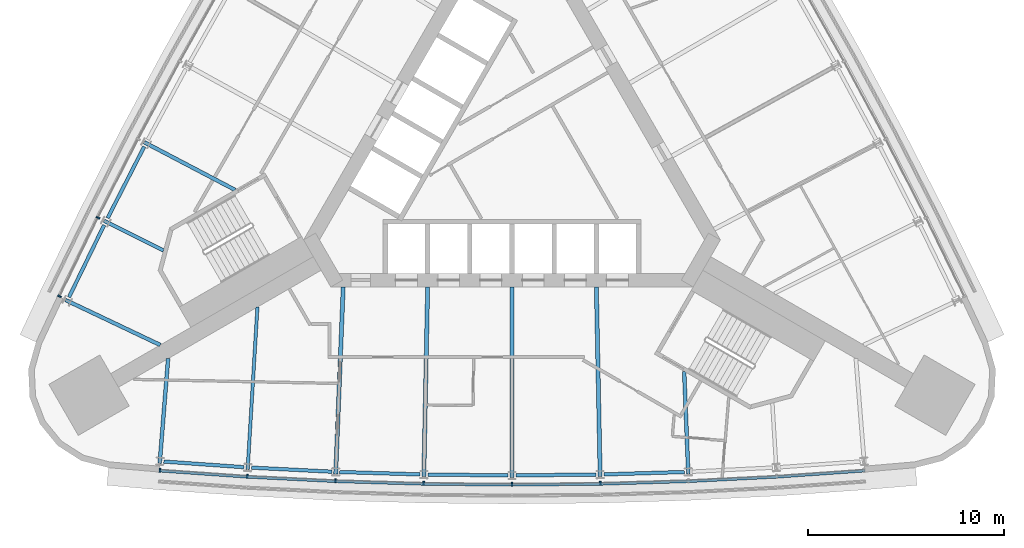
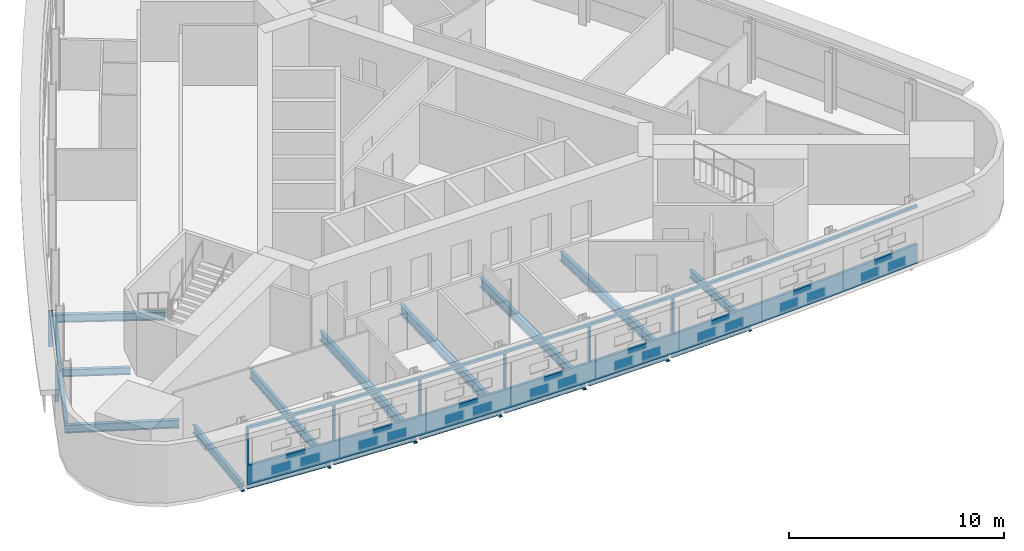
# One storey, part 2 of 11: 18 beams, 10 members, 2 elements without a shape of their own.
"""IFC4 building model written with IfcOpenShell, lengths in metres."""

from ifc_helpers import new_model, si_unit, direction, frame, origin, origin_2d, place, context, subcontext, project, spatial, polyline, rectangle, i_section, outline, extrude, material, material_profile, profile_set, type_object, element, aggregate, save


model = new_model("IFC4")

# Units and contexts
model_context = context("Model", 3, precision=1e-05, world=origin(), true_north=direction((0.0, 1.0)))
body_context = subcontext(model_context, "Body", "Model", "MODEL_VIEW")
ifc_project = project(units=[si_unit("LENGTHUNIT", "METRE"), si_unit("AREAUNIT", "SQUARE_METRE"), si_unit("VOLUMEUNIT", "CUBIC_METRE"), si_unit("PLANEANGLEUNIT", "RADIAN"), si_unit("MASSUNIT", "GRAM", prefix="KILO")], contexts=[model_context])

# Site, building, storey
site_placement = place(None, origin())
site = spatial("IfcSite", under=ifc_project, at=site_placement, CompositionType="ELEMENT")
building_placement = place(site_placement, origin())
building = spatial("IfcBuilding", under=site, at=building_placement, Name="Noor Cloister Tower", CompositionType="ELEMENT")
storey_placement = place(building_placement, frame((0.0, 0.0, 113.10009765625)))
storey = spatial("IfcBuildingStorey", under=building, at=storey_placement, Name="L29", CompositionType="ELEMENT", Elevation=113.10009765625)

# Curtain wall, member
ifc_material_1 = material(Name="Aluminium 6063-T6 anodised", Category="aluminium")
curtain_wall_type = type_object("IfcCurtainWallType", Name="Ribbon curtain wall, lower tower CW1", PredefinedType="NOTDEFINED", material=ifc_material_1)
curtain_wall_1_placement = place(storey_placement, origin())
curtain_wall_1 = element("IfcCurtainWall", 1, at=curtain_wall_1_placement, inside=storey, type_object=curtain_wall_type, Name="CW1 L29 S run 2", PredefinedType="NOTDEFINED")
ifc_material_2 = material(Name="Aluminium 6063-T6 anodised", Category="aluminium")
member_type_1 = type_object("IfcMemberType", Name="Head transom CW1 150", PredefinedType="USERDEFINED", material=ifc_material_2)
member_1_placement = place(storey_placement, frame((0.0, 0.0, 3.14990234375)))
member_1 = element("IfcMember", 2, at=member_1_placement, type_object=member_type_1, Name="CW1 head transom", ObjectType="TRANSOM", PredefinedType="USERDEFINED", context=body_context, shape_type="SweptSolid", body=[
    extrude(outline(polyline([(-17.980712890625, -16.35205078125), (-13.491943359375, -16.66796875), (-8.99755859375, -16.893798828125), (-4.499755859375, -17.029296875), (0.0, -17.074462890625), (4.499755859375, -17.029296875), (8.99755859375, -16.893798828125), (13.491943359375, -16.66796875), (17.980712890625, -16.35205078125), (17.970703125, -16.21240234375), (13.4833984375, -16.5283203125), (8.991943359375, -16.75390625), (4.496826171875, -16.889404296875), (0.0, -16.9345703125), (-4.496826171875, -16.889404296875), (-8.991943359375, -16.75390625), (-13.4833984375, -16.5283203125), (-17.970703125, -16.21240234375), (-17.980712890625, -16.35205078125)])), origin(), (0.0, 0.0, 1.0), 0.14990234375),
])

# Curtain wall, members
curtain_wall_2_placement = place(storey_placement, origin())
curtain_wall_2 = element("IfcCurtainWall", 3, at=curtain_wall_2_placement, inside=storey, type_object=curtain_wall_type, Name="CW1 L29 NW run 1", PredefinedType="NOTDEFINED")
ifc_material_3 = material(Name="Aluminium 6063-T6 anodised", Category="aluminium")
ifc_material_profile_1 = material_profile(ifc_material_3, rectangle(XDim=0.199951171875, YDim=0.080078125, at=origin_2d()), Name="200 x 80 mullion")
ifc_profile_set_1 = profile_set([ifc_material_profile_1], Name="Aluminium 6063-T6 anodised")
member_type_2 = type_object("IfcMemberType", Name="Mullion CW1 80 x 200", PredefinedType="MULLION", material=ifc_profile_set_1)
member_2_placement = place(storey_placement, frame((-21.09130859375, -3.39501953125, 1.099853515625), z_axis=(0.0, 0.0, 1.0), x_axis=(0.894554664218, -0.446958558176, 0.0)))
member_2 = element("IfcMember", 4, at=member_2_placement, type_object=member_type_2, Name="CW1 mullion 8", PredefinedType="MULLION", context=body_context, shape_type="SweptSolid", body=[
    extrude(rectangle(XDim=0.199951171875, YDim=0.080078125, at=origin_2d()), origin(), (0.0, 0.0, 1.0), 2.050048828125),
])
member_3_placement = place(storey_placement, frame((-23.044189453125, -7.403564453125, 1.099853515625), z_axis=(0.0, 0.0, 1.0), x_axis=(0.89899669454, -0.437955412348, 0.0)))
member_3 = element("IfcMember", 5, at=member_3_placement, type_object=member_type_2, Name="CW1 mullion 9", PredefinedType="MULLION", context=body_context, shape_type="SweptSolid", body=[
    extrude(rectangle(XDim=0.199951171875, YDim=0.080078125, at=origin_2d()), origin(), (0.0, 0.0, 1.0), 2.050048828125),
])
aggregate(curtain_wall_2, [member_2, member_3])

# Member
member_4_placement = place(storey_placement, frame((-17.933837890625, -16.255126953125, 1.099853515625), z_axis=(0.0, 0.0, 1.0), x_axis=(0.070217834452, 0.997531681565, 0.0)))
member_4 = element("IfcMember", 6, at=member_4_placement, type_object=member_type_2, Name="CW1 mullion 1", PredefinedType="MULLION", context=body_context, shape_type="SweptSolid", body=[
    extrude(rectangle(XDim=0.199951171875, YDim=0.080078125, at=origin_2d()), origin(), (0.0, 0.0, 1.0), 2.050048828125),
])

member_5_placement = place(storey_placement, frame((-13.48583984375, -16.568115234375, 1.099853515625), z_axis=(0.0, 0.0, 1.0), x_axis=(0.06019986629, 0.998186343374, 0.0)))
member_5 = element("IfcMember", 7, at=member_5_placement, type_object=member_type_2, Name="CW1 mullion 2", PredefinedType="MULLION", context=body_context, shape_type="SweptSolid", body=[
    extrude(rectangle(XDim=0.199951171875, YDim=0.080078125, at=origin_2d()), origin(), (0.0, 0.0, 1.0), 2.050048828125),
])

member_6_placement = place(storey_placement, frame((-8.99365234375, -16.7939453125, 1.099853515625), z_axis=(0.0, 0.0, 1.0), x_axis=(0.04014673795, 0.999193794733, 0.0)))
member_6 = element("IfcMember", 8, at=member_6_placement, type_object=member_type_2, Name="CW1 mullion 3", PredefinedType="MULLION", context=body_context, shape_type="SweptSolid", body=[
    extrude(rectangle(XDim=0.199951171875, YDim=0.080078125, at=origin_2d()), origin(), (0.0, 0.0, 1.0), 2.050048828125),
])

member_7_placement = place(storey_placement, frame((-4.497802734375, -16.929443359375, 1.099853515625), z_axis=(0.0, 0.0, 1.0), x_axis=(0.020077407288, 0.999798428543, 0.0)))
member_7 = element("IfcMember", 9, at=member_7_placement, type_object=member_type_2, Name="CW1 mullion 4", PredefinedType="MULLION", context=body_context, shape_type="SweptSolid", body=[
    extrude(rectangle(XDim=0.199951171875, YDim=0.080078125, at=origin_2d()), origin(), (0.0, 0.0, 1.0), 2.050048828125),
])

member_8_placement = place(storey_placement, frame((0.0, -16.974609375, 1.099853515625), z_axis=(0.0, 0.0, 1.0), x_axis=(0.0, 1.0, 0.0)))
member_8 = element("IfcMember", 10, at=member_8_placement, type_object=member_type_2, Name="CW1 mullion 5", PredefinedType="MULLION", context=body_context, shape_type="SweptSolid", body=[
    extrude(rectangle(XDim=0.199951171875, YDim=0.080078125, at=origin_2d()), origin(), (0.0, 0.0, 1.0), 2.050048828125),
])

member_9_placement = place(storey_placement, frame((4.497802734375, -16.929443359375, 1.099853515625), z_axis=(0.0, 0.0, 1.0), x_axis=(-0.020077407288, 0.999798428543, 0.0)))
member_9 = element("IfcMember", 11, at=member_9_placement, type_object=member_type_2, Name="CW1 mullion 6", PredefinedType="MULLION", context=body_context, shape_type="SweptSolid", body=[
    extrude(rectangle(XDim=0.199951171875, YDim=0.080078125, at=origin_2d()), origin(), (0.0, 0.0, 1.0), 2.050048828125),
])

# Beams
ifc_material_4 = material(Name="Steel ASTM A992 Gr 50", Category="steel")
ifc_material_profile_2 = material_profile(ifc_material_4, i_section(OverallWidth=0.177978515625, OverallDepth=0.406005859375, WebThickness=0.0078125, FlangeThickness=0.0126953125, FilletRadius=0.01025390625, at=origin_2d()), Name="W410x60")
ifc_profile_set_2 = profile_set([ifc_material_profile_2], Name="Steel ASTM A992 Gr 50")
beam_type_1 = type_object("IfcBeamType", Name="Radial beam W410x60", PredefinedType="BEAM", material=ifc_profile_set_2)
beam_1_placement = place(storey_placement, frame((-20.77880859375, -3.55126953125, -0.403076171875), z_axis=(0.894556914204, -0.446954054965, 0.0), x_axis=(0.446954054965, 0.894556914204, 0.0)))
element("IfcBeam", 12, at=beam_1_placement, inside=storey, type_object=beam_type_1, Name="Radial beam NW 08 L29", PredefinedType="BEAM", context=body_context, shape_type="SweptSolid", body=[
    extrude(i_section(OverallWidth=0.177978515625, OverallDepth=0.406005859375, WebThickness=0.0078125, FlangeThickness=0.0126953125, FilletRadius=0.01025390625, at=origin_2d()), origin(), (0.0, 0.0, 1.0), 3.38671875),
])
ifc_material_5 = material(Name="Steel ASTM A992 Gr 50", Category="steel")
ifc_material_profile_3 = material_profile(ifc_material_5, i_section(OverallWidth=0.19091796875, OverallDepth=0.45703125, WebThickness=0.009033203125, FlangeThickness=0.014404296875, FilletRadius=0.01025390625, at=origin_2d()), Name="W460x74")
ifc_profile_set_3 = profile_set([ifc_material_profile_3], Name="Steel ASTM A992 Gr 50")
beam_type_2 = type_object("IfcBeamType", Name="Radial beam W460x74", PredefinedType="BEAM", material=ifc_profile_set_3)
beam_2_placement = place(storey_placement, frame((-18.731201171875, 0.44580078125, -0.4287109375), z_axis=(0.885401268504, -0.464827488141, 0.0), x_axis=(0.464827488141, 0.885401268504, 0.0)))
element("IfcBeam", 13, at=beam_2_placement, inside=storey, type_object=beam_type_2, Name="Radial beam NW 07 L29", PredefinedType="BEAM", context=body_context, shape_type="SweptSolid", body=[
    extrude(i_section(OverallWidth=0.19091796875, OverallDepth=0.45703125, WebThickness=0.009033203125, FlangeThickness=0.014404296875, FilletRadius=0.01025390625, at=origin_2d()), origin(), (0.0, 0.0, 1.0), 5.224365234375),
])
for number, where, z_axis, x_axis, name in (
    (14, (-22.74560546875, -7.58837890625, -0.4287109375), (0.903337661444, -0.428930145148, 0.0), (0.428930145148, 0.903337661444, 0.0), "Radial beam NW 09 L29"),
    (15, (-17.944580078125, -15.904052734375, -0.4287109375), (0.080226140239, 0.996776688342, 0.0), (-0.996776688342, 0.080226140239, 0.0), "Radial beam S 01 L29"),
):
    element("IfcBeam", number, at=place(storey_placement, frame(where, z_axis=z_axis, x_axis=x_axis)), inside=storey, type_object=beam_type_2, Name=name, PredefinedType="BEAM", context=body_context, shape_type="SweptSolid", body=[
        extrude(i_section(OverallWidth=0.19091796875, OverallDepth=0.45703125, WebThickness=0.009033203125, FlangeThickness=0.014404296875, FilletRadius=0.01025390625, at=origin_2d()), origin(), (0.0, 0.0, 1.0), 5.346923828125),
    ])
beam_3_placement = place(storey_placement, frame((8.9794921875, -16.444580078125, -0.4287109375), z_axis=(-0.040141597936, 0.999194001241, 0.0), x_axis=(-0.999194001241, -0.040141597936, 0.0)))
element("IfcBeam", 16, at=beam_3_placement, inside=storey, type_object=beam_type_2, Name="Radial beam S 07 L29", PredefinedType="BEAM", context=body_context, shape_type="SweptSolid", body=[
    extrude(i_section(OverallWidth=0.19091796875, OverallDepth=0.45703125, WebThickness=0.009033203125, FlangeThickness=0.014404296875, FilletRadius=0.01025390625, at=origin_2d()), origin(), (0.0, 0.0, 1.0), 5.224365234375),
])
ifc_material_6 = material(Name="Steel ASTM A992 Gr 50", Category="steel")
ifc_material_profile_4 = material_profile(ifc_material_6, i_section(OverallWidth=0.166015625, OverallDepth=0.528076171875, WebThickness=0.009765625, FlangeThickness=0.013671875, FilletRadius=0.0126953125, at=origin_2d()), Name="W530x74")
ifc_profile_set_4 = profile_set([ifc_material_profile_4], Name="Steel ASTM A992 Gr 50")
beam_type_3 = type_object("IfcBeamType", Name="Radial beam W530x74", PredefinedType="BEAM", material=ifc_profile_set_4)
beam_4_placement = place(storey_placement, frame((-13.46484375, -16.21923828125, -0.464111328125), z_axis=(0.060221082351, 0.998185063623, 0.0), x_axis=(-0.998185063623, 0.060221082351, 0.0)))
element("IfcBeam", 17, at=beam_4_placement, inside=storey, type_object=beam_type_3, Name="Radial beam S 02 L29", PredefinedType="BEAM", context=body_context, shape_type="SweptSolid", body=[
    extrude(i_section(OverallWidth=0.166015625, OverallDepth=0.528076171875, WebThickness=0.009765625, FlangeThickness=0.013671875, FilletRadius=0.0126953125, at=origin_2d()), origin(), (0.0, 0.0, 1.0), 8.28662109375),
])
ifc_material_7 = material(Name="Steel ASTM A992 Gr 50", Category="steel")
ifc_material_profile_5 = material_profile(ifc_material_7, i_section(OverallWidth=0.208984375, OverallDepth=0.532958984375, WebThickness=0.01025390625, FlangeThickness=0.015625, FilletRadius=0.0126953125, at=origin_2d()), Name="W530x92")
ifc_profile_set_5 = profile_set([ifc_material_profile_5], Name="Steel ASTM A992 Gr 50")
beam_type_4 = type_object("IfcBeamType", Name="Radial beam W530x92", PredefinedType="BEAM", material=ifc_profile_set_5)
beam_5_placement = place(storey_placement, frame((-8.9794921875, -16.444580078125, -0.466552734375), z_axis=(0.040143095301, 0.999193941084, 0.0), x_axis=(-0.999193941084, 0.040143095301, 0.0)))
element("IfcBeam", 18, at=beam_5_placement, inside=storey, type_object=beam_type_4, Name="Radial beam S 03 L29", PredefinedType="BEAM", context=body_context, shape_type="SweptSolid", body=[
    extrude(i_section(OverallWidth=0.208984375, OverallDepth=0.532958984375, WebThickness=0.01025390625, FlangeThickness=0.015625, FilletRadius=0.0126953125, at=origin_2d()), origin(), (0.0, 0.0, 1.0), 9.52392578125),
])
beam_6_placement = place(storey_placement, frame((-4.49072265625, -16.579833984375, -0.466552734375), z_axis=(0.020080436697, 0.999798367703, 0.0), x_axis=(-0.999798367703, 0.020080436697, 0.0)))
element("IfcBeam", 19, at=beam_6_placement, inside=storey, type_object=beam_type_4, Name="Radial beam S 04 L29", PredefinedType="BEAM", context=body_context, shape_type="SweptSolid", body=[
    extrude(i_section(OverallWidth=0.208984375, OverallDepth=0.532958984375, WebThickness=0.01025390625, FlangeThickness=0.015625, FilletRadius=0.0126953125, at=origin_2d()), origin(), (0.0, 0.0, 1.0), 9.653564453125),
])
beam_7_placement = place(storey_placement, frame((0.0, -16.625, -0.466552734375), z_axis=(0.0, 1.0, 0.0), x_axis=(-1.0, 0.0, 0.0)))
element("IfcBeam", 20, at=beam_7_placement, inside=storey, type_object=beam_type_4, Name="Radial beam S 05 L29", PredefinedType="BEAM", context=body_context, shape_type="SweptSolid", body=[
    extrude(i_section(OverallWidth=0.208984375, OverallDepth=0.532958984375, WebThickness=0.01025390625, FlangeThickness=0.015625, FilletRadius=0.0126953125, at=origin_2d()), origin(), (0.0, 0.0, 1.0), 9.69677734375),
])
beam_8_placement = place(storey_placement, frame((4.49072265625, -16.579833984375, -0.466552734375), z_axis=(-0.020080436697, 0.999798367703, 0.0), x_axis=(-0.999798367703, -0.020080436697, 0.0)))
element("IfcBeam", 21, at=beam_8_placement, inside=storey, type_object=beam_type_4, Name="Radial beam S 06 L29", PredefinedType="BEAM", context=body_context, shape_type="SweptSolid", body=[
    extrude(i_section(OverallWidth=0.208984375, OverallDepth=0.532958984375, WebThickness=0.01025390625, FlangeThickness=0.015625, FilletRadius=0.0126953125, at=origin_2d()), origin(), (0.0, 0.0, 1.0), 9.653564453125),
])

# Member
ifc_material_8 = material(Name="Aluminium 6063-T6 anodised", Category="aluminium")
member_type_3 = type_object("IfcMemberType", Name="Sill transom CW1 1100", PredefinedType="USERDEFINED", material=ifc_material_8)
member_10_placement = place(storey_placement, origin())
member_10 = element("IfcMember", 22, at=member_10_placement, type_object=member_type_3, Name="CW1 sill transom", ObjectType="TRANSOM", PredefinedType="USERDEFINED", context=body_context, shape_type="SweptSolid", body=[
    extrude(outline(polyline([(-17.980712890625, -16.35205078125), (-13.491943359375, -16.66796875), (-8.99755859375, -16.893798828125), (-4.499755859375, -17.029296875), (0.0, -17.074462890625), (4.499755859375, -17.029296875), (8.99755859375, -16.893798828125), (13.491943359375, -16.66796875), (17.980712890625, -16.35205078125), (17.970703125, -16.21240234375), (13.4833984375, -16.5283203125), (8.991943359375, -16.75390625), (4.496826171875, -16.889404296875), (0.0, -16.9345703125), (-4.496826171875, -16.889404296875), (-8.991943359375, -16.75390625), (-13.4833984375, -16.5283203125), (-17.970703125, -16.21240234375), (-17.980712890625, -16.35205078125)])), origin(), (0.0, 0.0, 1.0), 1.099853515625),
])

aggregate(curtain_wall_1, [member_4, member_5, member_6, member_7, member_8, member_9, member_10, member_1])

# Beams
ifc_material_9 = material(Name="Steel ASTM A992 Gr 50", Category="steel")
ifc_material_profile_6 = material_profile(ifc_material_9, i_section(OverallWidth=0.177978515625, OverallDepth=0.406005859375, WebThickness=0.0078125, FlangeThickness=0.0126953125, FilletRadius=0.01025390625, at=origin_2d()), Name="W410x60")
ifc_profile_set_6 = profile_set([ifc_material_profile_6], Name="Steel ASTM A992 Gr 50")
beam_type_5 = type_object("IfcBeamType", Name="Spandrel beam W410x60", PredefinedType="SPANDREL", material=ifc_profile_set_6)
for number, where, z_axis, x_axis, name in (
    (23, (-18.733642578125, 0.220703125, -0.403076171875), (-0.455911640241, -0.890025042509, 0.0), (0.890025042509, -0.455911640241, 0.0), "Spandrel beam NW 07 L29"),
    (24, (-20.776611328125, -3.7763671875, -0.403076171875), (-0.437944670986, -0.899001927226, 0.0), (0.899001927226, -0.437944670986, 0.0), "Spandrel beam NW 08 L29"),
    (25, (-17.736572265625, -15.81787109375, -0.403076171875), (0.997530638237, -0.070232654647, 0.0), (0.070232654647, 0.997530638237, 0.0), "Spandrel beam S 01 L29"),
    (26, (-13.258544921875, -16.129150390625, -0.403076171875), (0.998740844614, -0.050166974196, 0.0), (0.050166974196, 0.998740844614, 0.0), "Spandrel beam S 02 L29"),
):
    element("IfcBeam", number, at=place(storey_placement, frame(where, z_axis=z_axis, x_axis=x_axis)), inside=storey, type_object=beam_type_5, Name=name, PredefinedType="SPANDREL", context=body_context, shape_type="SweptSolid", body=[
        extrude(i_section(OverallWidth=0.177978515625, OverallDepth=0.406005859375, WebThickness=0.0078125, FlangeThickness=0.0126953125, FilletRadius=0.01025390625, at=origin_2d()), origin(), (0.0, 0.0, 1.0), 4.087890625),
    ])
beam_9_placement = place(storey_placement, frame((-8.775146484375, -16.350341796875, -0.403076171875), z_axis=(0.999546914037, -0.03009927972, 0.0), x_axis=(0.03009927972, 0.999546914037, 0.0)))
element("IfcBeam", 27, at=beam_9_placement, inside=storey, type_object=beam_type_5, Name="Spandrel beam S 03 L29", PredefinedType="SPANDREL", context=body_context, shape_type="SweptSolid", body=[
    extrude(i_section(OverallWidth=0.177978515625, OverallDepth=0.406005859375, WebThickness=0.0078125, FlangeThickness=0.0126953125, FilletRadius=0.01025390625, at=origin_2d()), origin(), (0.0, 0.0, 1.0), 4.088134765625),
])
for number, where, z_axis, x_axis, name in (
    (28, (-4.2880859375, -16.4814453125, -0.403076171875), (0.999949662781, -0.010033538992, 0.0), (0.010033538992, 0.999949662781, 0.0), "Spandrel beam S 04 L29"),
    (29, (0.200439453125, -16.5224609375, -0.403076171875), (0.999949662781, 0.010033538992, 0.0), (-0.010033538992, 0.999949662781, 0.0), "Spandrel beam S 05 L29"),
):
    element("IfcBeam", number, at=place(storey_placement, frame(where, z_axis=z_axis, x_axis=x_axis)), inside=storey, type_object=beam_type_5, Name=name, PredefinedType="SPANDREL", context=body_context, shape_type="SweptSolid", body=[
        extrude(i_section(OverallWidth=0.177978515625, OverallDepth=0.406005859375, WebThickness=0.0078125, FlangeThickness=0.0126953125, FilletRadius=0.01025390625, at=origin_2d()), origin(), (0.0, 0.0, 1.0), 4.087890625),
    ])
beam_10_placement = place(storey_placement, frame((4.68896484375, -16.473388671875, -0.403076171875), z_axis=(0.999546914037, 0.03009927972, 0.0), x_axis=(-0.03009927972, 0.999546914037, 0.0)))
element("IfcBeam", 30, at=beam_10_placement, inside=storey, type_object=beam_type_5, Name="Spandrel beam S 06 L29", PredefinedType="SPANDREL", context=body_context, shape_type="SweptSolid", body=[
    extrude(i_section(OverallWidth=0.177978515625, OverallDepth=0.406005859375, WebThickness=0.0078125, FlangeThickness=0.0126953125, FilletRadius=0.01025390625, at=origin_2d()), origin(), (0.0, 0.0, 1.0), 4.088134765625),
])

save(model, "model.ifc")
